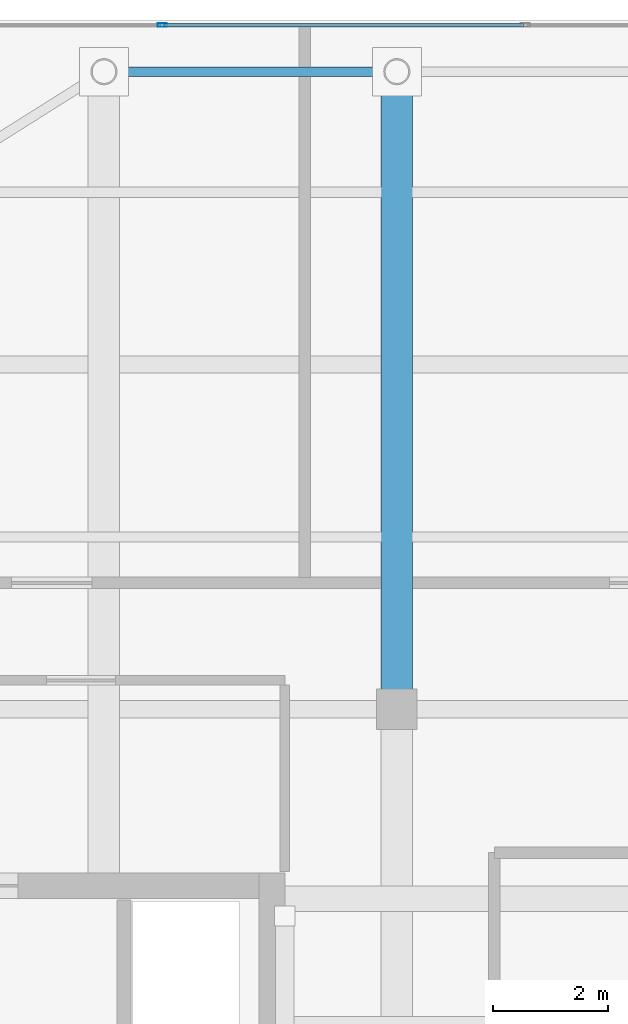
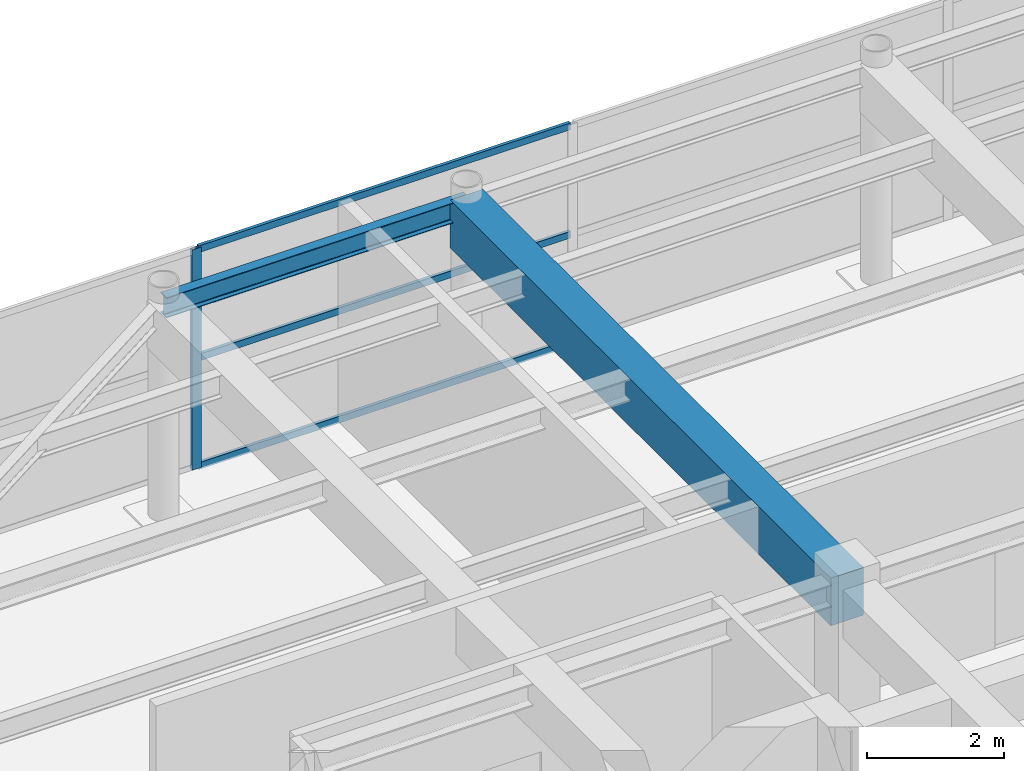
# One storey, part 22 of 32: 4 members, 2 beams, 1 element without a shape of its own.
"""IFC4 building model written with IfcOpenShell, lengths in metres."""

from ifc_helpers import new_model, si_unit, direction, frame, origin, origin_2d, place, context, subcontext, project, spatial, rectangle, hollow_rectangle, i_section, extrude, source, transform, mapped, material, layer, layer_set, material_profile, profile_set, type_object, element, aggregate, save


model = new_model("IFC4")

# Units and contexts
model_context = context("Model", 3, precision=1e-05, world=origin(), true_north=direction((0.0, 1.0)))
body_context = subcontext(model_context, "Body", "Model", "MODEL_VIEW")
ifc_project = project(units=[si_unit("LENGTHUNIT", "METRE"), si_unit("AREAUNIT", "SQUARE_METRE"), si_unit("VOLUMEUNIT", "CUBIC_METRE"), si_unit("PLANEANGLEUNIT", "RADIAN"), si_unit("MASSUNIT", "GRAM", prefix="KILO")], contexts=[model_context])

# Site, building, storey
site_placement = place(None, origin())
site = spatial("IfcSite", under=ifc_project, at=site_placement, CompositionType="ELEMENT")
building_placement = place(site_placement, origin())
building = spatial("IfcBuilding", under=site, at=building_placement, Name="Khoralis Quay Care Tower", CompositionType="ELEMENT")
storey_placement = place(building_placement, frame((0.0, 0.0, 293.699951171875)))
storey = spatial("IfcBuildingStorey", under=building, at=storey_placement, Name="L77", CompositionType="ELEMENT", Elevation=293.699951171875)

# Beams
ifc_material_1 = material(Name="Steel S355", Category="steel")
ifc_material_profile_1 = material_profile(ifc_material_1, i_section(OverallWidth=0.169921875, OverallDepth=0.360107421875, WebThickness=0.008056640625, FlangeThickness=0.0126953125, FilletRadius=0.01806640625, at=origin_2d()), Name="Steel S355")
ifc_profile_set_1 = profile_set([ifc_material_profile_1], Name="Steel S355")
beam_type_1 = type_object("IfcBeamType", Name="BM-IPE360", PredefinedType="SPANDREL", material=ifc_profile_set_1)
shared_shape_1 = source(origin(), body_context, "Body", "SweptSolid", [
    extrude(i_section(OverallWidth=0.169921875, OverallDepth=0.360107421875, WebThickness=0.008056640625, FlangeThickness=0.0126953125, FilletRadius=0.01806640625, at=origin_2d()), origin(), (0.0, 0.0, 1.0), 5.10009765625),
])
beam_1_placement = place(storey_placement, frame((12.0, 41.10009765625, 3.739990234375), z_axis=(1.0, 0.0, 0.0), x_axis=(0.0, 1.0, 0.0)))
element("IfcBeam", 1, at=beam_1_placement, inside=storey, type_object=beam_type_1, Name="BM-TSP-L77-05", PredefinedType="SPANDREL", context=body_context, shape_type="MappedRepresentation", body=[
    mapped(shared_shape_1, transform((0.0, 0.0, 0.0), scale=1.0)),
])
ifc_material_2 = material(Name="Concrete C50/60", Category="concrete")
ifc_material_profile_2 = material_profile(ifc_material_2, rectangle(XDim=0.550048828125, YDim=0.85009765625, at=origin_2d()), Name="Concrete C50/60")
ifc_profile_set_2 = profile_set([ifc_material_profile_2], Name="Concrete C50/60")
beam_type_2 = type_object("IfcBeamType", Name="BM-RC550X850", PredefinedType="BEAM", material=ifc_profile_set_2)
shared_shape_2 = source(origin(), body_context, "Body", "SweptSolid", [
    extrude(rectangle(XDim=0.550048828125, YDim=0.85009765625, at=origin_2d()), origin(), (0.0, 0.0, 1.0), 11.10009765625),
])
beam_2_placement = place(storey_placement, frame((17.10009765625, 30.0, 3.4951171875), z_axis=(0.0, 1.0, 0.0), x_axis=(-1.0, 0.0, 0.0)))
element("IfcBeam", 2, at=beam_2_placement, inside=storey, type_object=beam_type_2, Name="BM-TGYN-L77-171", PredefinedType="BEAM", context=body_context, shape_type="MappedRepresentation", body=[
    mapped(shared_shape_2, transform((0.0, 0.0, 0.0), scale=1.0)),
])

# Curtain wall, members
ifc_material_3 = material(Name="Pale anodised aluminium", Category="aluminium")
ifc_layer = layer(ifc_material_3, 0.199951171875)
ifc_layer_set = layer_set([ifc_layer], Name="Pale anodised aluminium")
curtain_wall_type = type_object("IfcCurtainWallType", Name="CW-SYS-LANTERN", PredefinedType="NOTDEFINED", material=ifc_layer_set)
curtain_wall_placement = place(storey_placement, origin())
curtain_wall = element("IfcCurtainWall", 3, at=curtain_wall_placement, inside=storey, type_object=curtain_wall_type, Name="L77 Unitised Curtain Wall CW-LN-L77-11", PredefinedType="NOTDEFINED")
ifc_material_profile_3 = material_profile(ifc_material_3, hollow_rectangle(XDim=0.06005859375, YDim=0.159912109375, WallThickness=0.00390625, at=origin_2d()), Name="Pale anodised aluminium")
ifc_profile_set_3 = profile_set([ifc_material_profile_3], Name="Pale anodised aluminium")
member_type_1 = type_object("IfcMemberType", Name="CW-MUL-160", PredefinedType="MULLION", material=ifc_profile_set_3)
shared_shape_3 = source(origin(), body_context, "Body", "SweptSolid", [
    extrude(hollow_rectangle(XDim=0.06005859375, YDim=0.159912109375, WallThickness=0.00390625, at=origin_2d()), origin(), (0.0, 0.0, 1.0), 3.920166015625),
])
member_1_placement = place(storey_placement, frame((13.013916015625, 41.909912109375, 0.0), z_axis=(0.0, 0.0, 1.0), x_axis=(0.0, -1.0, 0.0)))
member_1 = element("IfcMember", 4, at=member_1_placement, type_object=member_type_1, Name="CW5 mullion 5", PredefinedType="MULLION", context=body_context, shape_type="MappedRepresentation", body=[
    mapped(shared_shape_3, transform((0.0, 0.0, 0.0), scale=1.0)),
])
ifc_material_profile_4 = material_profile(ifc_material_3, hollow_rectangle(XDim=0.054931640625, YDim=0.1201171875, WallThickness=0.00390625, at=origin_2d()), Name="Pale anodised aluminium")
ifc_profile_set_4 = profile_set([ifc_material_profile_4], Name="Pale anodised aluminium")
member_type_2 = type_object("IfcMemberType", Name="CW-TRN-120", PredefinedType="USERDEFINED", material=ifc_profile_set_4)
shared_shape_4 = source(origin(), body_context, "Body", "SweptSolid", [
    extrude(hollow_rectangle(XDim=0.054931640625, YDim=0.1201171875, WallThickness=0.00390625, at=origin_2d()), origin(), (0.0, 0.0, 1.0), 6.26416015625),
])
member_2_placement = place(storey_placement, frame((19.30810546875, 41.909912109375, 0.030029296875), z_axis=(-1.0, 0.0, 0.0), x_axis=(0.0, -1.0, 0.0)))
member_2 = element("IfcMember", 5, at=member_2_placement, type_object=member_type_2, Name="CW5 transom 4.1", ObjectType="TRANSOM", PredefinedType="USERDEFINED", context=body_context, shape_type="MappedRepresentation", body=[
    mapped(shared_shape_4, transform((0.0, 0.0, 0.0), scale=1.0)),
])
member_3_placement = place(storey_placement, frame((19.30810546875, 41.909912109375, 1.9599609375), z_axis=(-1.0, 0.0, 0.0), x_axis=(0.0, -1.0, 0.0)))
member_3 = element("IfcMember", 6, at=member_3_placement, type_object=member_type_2, Name="CW5 transom 4.2", ObjectType="TRANSOM", PredefinedType="USERDEFINED", context=body_context, shape_type="MappedRepresentation", body=[
    mapped(shared_shape_4, transform((0.0, 0.0, 0.0), scale=1.0)),
])
member_4_placement = place(storey_placement, frame((19.30810546875, 41.909912109375, 3.89013671875), z_axis=(-1.0, 0.0, 0.0), x_axis=(0.0, -1.0, 0.0)))
member_4 = element("IfcMember", 7, at=member_4_placement, type_object=member_type_2, Name="CW5 transom 4.3", ObjectType="TRANSOM", PredefinedType="USERDEFINED", context=body_context, shape_type="MappedRepresentation", body=[
    mapped(shared_shape_4, transform((0.0, 0.0, 0.0), scale=1.0)),
])
aggregate(curtain_wall, [member_1, member_2, member_3, member_4])

save(model, "model.ifc")
